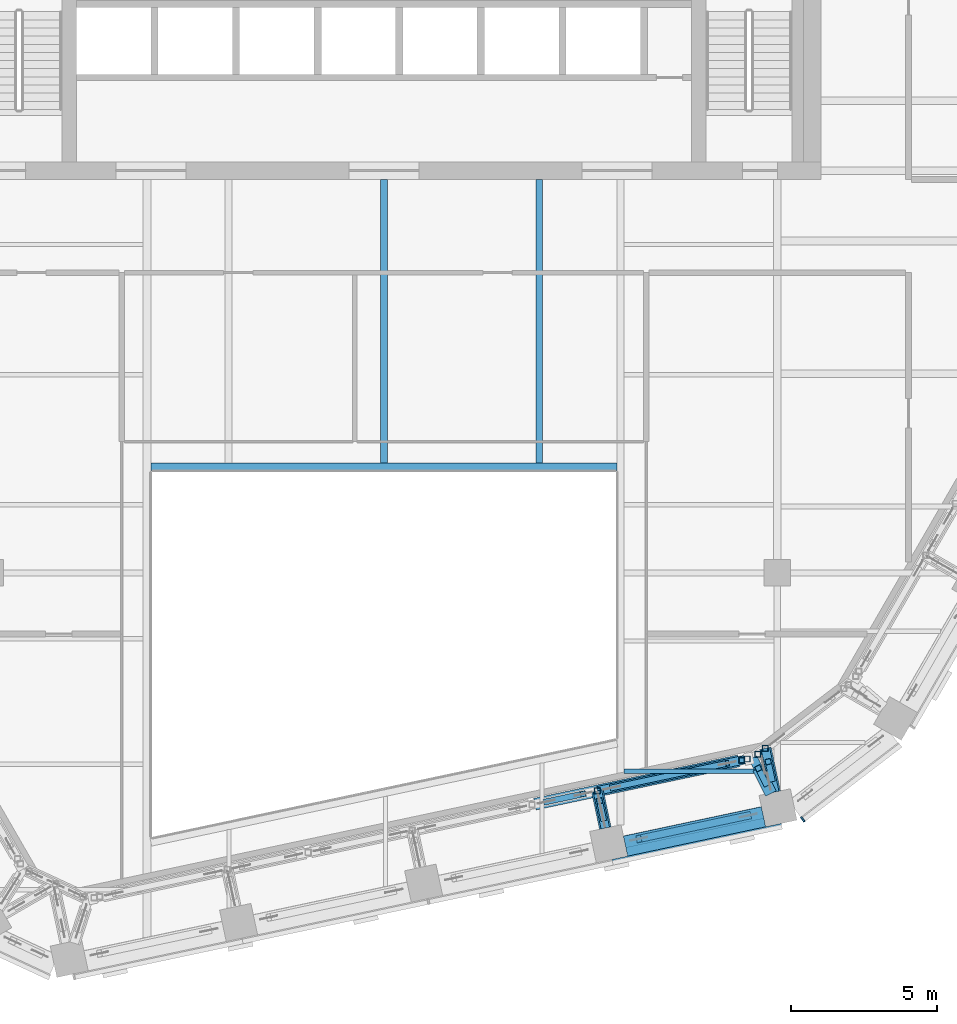
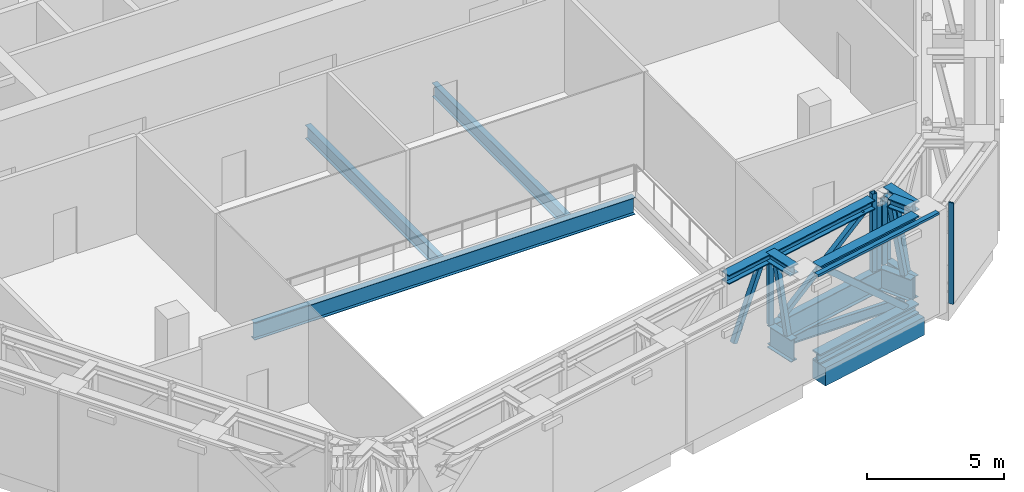
# One storey, part 7 of 25: 23 members, 5 beams, 2 elements without a shape of their own.
"""IFC4 building model written with IfcOpenShell, lengths in metres."""

from ifc_helpers import new_model, si_unit, direction, frame, origin, origin_2d, place, context, subcontext, project, spatial, rectangle, hollow_rectangle, i_section, extrude, material, layer, layer_set, material_profile, profile_set, type_object, element, aggregate, save


model = new_model("IFC4")

# Units and contexts
model_context = context("Model", 3, precision=1e-05, world=origin(), true_north=direction((0.0, 1.0)))
body_context = subcontext(model_context, "Body", "Model", "MODEL_VIEW")
ifc_project = project(units=[si_unit("LENGTHUNIT", "METRE"), si_unit("AREAUNIT", "SQUARE_METRE"), si_unit("VOLUMEUNIT", "CUBIC_METRE"), si_unit("PLANEANGLEUNIT", "RADIAN"), si_unit("MASSUNIT", "GRAM", prefix="KILO")], contexts=[model_context])

# Site, building, storey
site_placement = place(None, origin())
site = spatial("IfcSite", under=ifc_project, at=site_placement, CompositionType="ELEMENT")
building_placement = place(site_placement, origin())
building = spatial("IfcBuilding", under=site, at=building_placement, Name="Isthmus Gate Tower", CompositionType="ELEMENT")
storey_placement = place(building_placement, frame((0.0, 0.0, 256.449951171875)))
storey = spatial("IfcBuildingStorey", under=building, at=storey_placement, Name="L65", CompositionType="ELEMENT", Elevation=256.449951171875)

# Members
ifc_material_1 = material(Name="Structural steel ASTM A913 Gr 65", Category="steel")
ifc_material_profile_1 = material_profile(ifc_material_1, i_section(OverallWidth=0.416015625, OverallDepth=0.444580078125, WebThickness=0.039794921875, FlangeThickness=0.0634765625, at=origin_2d()), Name="W14X342")
ifc_profile_set_1 = profile_set([ifc_material_profile_1], Name="Structural steel ASTM A913 Gr 65")
member_type_1 = type_object("IfcMemberType", Name="BELT TRUSS CHORD W14X342", PredefinedType="CHORD", material=ifc_profile_set_1)
for number, where, z_axis, x_axis, name in (
    (1, (12.994384765625, -21.726806640625, 0.222412109375), (-0.978151545833, -0.207893129722, 0.0), (0.207893129722, -0.978151545833, 0.0), "str-belt11-L65-01"),
    (2, (12.994384765625, -21.726806640625, 4.127685546875), (-0.978151545833, -0.207893129722, 0.0), (0.207893129722, -0.978151545833, 0.0), "str-belt11-L65-02"),
):
    element("IfcMember", number, at=place(storey_placement, frame(where, z_axis=z_axis, x_axis=x_axis)), inside=storey, type_object=member_type_1, Name=name, PredefinedType="CHORD", context=body_context, shape_type="SweptSolid", body=[
        extrude(i_section(OverallWidth=0.416015625, OverallDepth=0.444580078125, WebThickness=0.039794921875, FlangeThickness=0.0634765625, at=origin_2d()), origin(), (0.0, 0.0, 1.0), 4.841796875),
    ])

# Curtain wall, member
ifc_material_2 = material(Name="Aluminium, pale champagne anodised", Category="aluminium")
ifc_layer = layer(ifc_material_2, 0.199951171875)
ifc_layer_set = layer_set([ifc_layer], Name="CW-2 LOUVRE CURTAIN WALL 200 DEEP")
curtain_wall_type = type_object("IfcCurtainWallType", Name="CW-2 LOUVRE CURTAIN WALL 200 DEEP", PredefinedType="NOTDEFINED", material=ifc_layer_set)
curtain_wall_1_placement = place(storey_placement, origin())
curtain_wall_1 = element("IfcCurtainWall", 3, at=curtain_wall_1_placement, inside=storey, type_object=curtain_wall_type, Name="CW-2 S-SE L65", PredefinedType="NOTDEFINED")
ifc_material_3 = material(Name="Aluminium, pale champagne anodised", Category="aluminium")
ifc_material_profile_2 = material_profile(ifc_material_3, rectangle(XDim=0.06005859375, YDim=0.199951171875, at=origin_2d()), Name="60x200")
ifc_profile_set_2 = profile_set([ifc_material_profile_2], Name="Aluminium, pale champagne anodised")
member_type_2 = type_object("IfcMemberType", Name="CW-2 MULLION 60 X 200", PredefinedType="MULLION", material=ifc_profile_set_2)
member_1_placement = place(storey_placement, frame((14.3720703125, -21.961669921875, 0.0), z_axis=(0.0, 0.0, 1.0), x_axis=(0.794188594387, 0.607671355706, 0.0)))
member_1 = element("IfcMember", 4, at=member_1_placement, type_object=member_type_2, Name="CW-2 mullion", PredefinedType="MULLION", context=body_context, shape_type="SweptSolid", body=[
    extrude(rectangle(XDim=0.06005859375, YDim=0.199951171875, at=origin_2d()), origin(), (0.0, 0.0, 1.0), 4.5),
])
aggregate(curtain_wall_1, [member_1])

curtain_wall_2_placement = place(storey_placement, origin())
curtain_wall_2 = element("IfcCurtainWall", 5, at=curtain_wall_2_placement, inside=storey, type_object=curtain_wall_type, Name="CW-2 S L65", PredefinedType="NOTDEFINED")
ifc_material_4 = material(Name="Aluminium, pale champagne anodised", Category="aluminium")
ifc_material_profile_3 = material_profile(ifc_material_4, rectangle(XDim=0.199951171875, YDim=0.10009765625, at=origin_2d()), Name="200x100")
ifc_profile_set_3 = profile_set([ifc_material_profile_3], Name="Aluminium, pale champagne anodised")
member_type_3 = type_object("IfcMemberType", Name="CW-2 TRANSOM 200 X 100", PredefinedType="USERDEFINED", material=ifc_profile_set_3)
member_2_placement = place(storey_placement, frame((7.844970703125, -23.434814453125, 4.449951171875), z_axis=(0.978148616043, 0.207906914105, 0.0), x_axis=(-0.207906914105, 0.978148616043, 0.0)))
member_2 = element("IfcMember", 6, at=member_2_placement, type_object=member_type_3, Name="CW-2 transom", ObjectType="TRANSOM", PredefinedType="USERDEFINED", context=body_context, shape_type="SweptSolid", body=[
    extrude(rectangle(XDim=0.199951171875, YDim=0.10009765625, at=origin_2d()), origin(), (0.0, 0.0, 1.0), 5.94189453125),
])
aggregate(curtain_wall_2, [member_2])

# Beams
ifc_material_5 = material(Name="Concrete f'c 50 MPa", Category="concrete")
ifc_material_profile_4 = material_profile(ifc_material_5, rectangle(XDim=0.699951171875, YDim=0.800048828125, at=origin_2d()), Name="RC 700X800")
ifc_profile_set_4 = profile_set([ifc_material_profile_4], Name="Concrete f'c 50 MPa")
beam_type_1 = type_object("IfcBeamType", Name="RC SPANDREL 700 X 800", PredefinedType="SPANDREL", material=ifc_profile_set_4)
beam_1_placement = place(storey_placement, frame((13.025390625, -21.87353515625, -0.39990234375), z_axis=(-0.978151545833, -0.207893129722, 0.0), x_axis=(0.207893129722, -0.978151545833, 0.0)))
element("IfcBeam", 7, at=beam_1_placement, inside=storey, type_object=beam_type_1, Name="str-spandrel-L65-11", PredefinedType="SPANDREL", context=body_context, shape_type="SweptSolid", body=[
    extrude(rectangle(XDim=0.699951171875, YDim=0.800048828125, at=origin_2d()), origin(), (0.0, 0.0, 1.0), 4.841796875),
])
ifc_material_6 = material(Name="Structural steel ASTM A992 Gr 50", Category="steel")
ifc_material_profile_5 = material_profile(ifc_material_6, i_section(OverallWidth=0.15234375, OverallDepth=0.45068359375, WebThickness=0.0078125, FlangeThickness=0.010986328125, at=origin_2d()), Name="W18X35")
ifc_profile_set_5 = profile_set([ifc_material_profile_5], Name="Structural steel ASTM A992 Gr 50")
beam_type_2 = type_object("IfcBeamType", Name="STEEL FLOOR BEAM W18X35", PredefinedType="JOIST", material=ifc_profile_set_5)
beam_2_placement = place(storey_placement, frame((8.228515625, -20.3046875, -0.525390625), z_axis=(1.0, 0.0, 0.0), x_axis=(0.0, 1.0, 0.0)))
element("IfcBeam", 8, at=beam_2_placement, inside=storey, type_object=beam_type_2, Name="str-beam-L65-09-00", PredefinedType="JOIST", context=body_context, shape_type="SweptSolid", body=[
    extrude(i_section(OverallWidth=0.15234375, OverallDepth=0.45068359375, WebThickness=0.0078125, FlangeThickness=0.010986328125, at=origin_2d()), origin(), (0.0, 0.0, 1.0), 5.1572265625),
])
ifc_material_7 = material(Name="Structural steel ASTM A992 Gr 50", Category="steel")
ifc_material_profile_6 = material_profile(ifc_material_7, i_section(OverallWidth=0.228515625, OverallDepth=0.603271484375, WebThickness=0.010986328125, FlangeThickness=0.014404296875, at=origin_2d()), Name="W24X68")
ifc_profile_set_6 = profile_set([ifc_material_profile_6], Name="Structural steel ASTM A992 Gr 50")
beam_type_3 = type_object("IfcBeamType", Name="STEEL FLOOR BEAM W24X68", PredefinedType="JOIST", material=ifc_profile_set_6)
for number, where, z_axis, x_axis, name in (
    (9, (0.0, -9.7333984375, -0.6015625), (0.0, 1.0, 0.0), (-1.0, 0.0, 0.0), "str-beam-L65-07-01"),
    (10, (5.333251953125, -9.7333984375, -0.6015625), (0.0, 1.0, 0.0), (-1.0, 0.0, 0.0), "str-beam-L65-07-02"),
):
    element("IfcBeam", number, at=place(storey_placement, frame(where, z_axis=z_axis, x_axis=x_axis)), inside=storey, type_object=beam_type_3, Name=name, PredefinedType="JOIST", context=body_context, shape_type="SweptSolid", body=[
        extrude(i_section(OverallWidth=0.228515625, OverallDepth=0.603271484375, WebThickness=0.010986328125, FlangeThickness=0.014404296875, at=origin_2d()), origin(), (0.0, 0.0, 1.0), 9.7333984375),
    ])
ifc_material_8 = material(Name="Structural steel ASTM A992 Gr 50", Category="steel")
ifc_material_profile_7 = material_profile(ifc_material_8, i_section(OverallWidth=0.2666015625, OverallDepth=0.7587890625, WebThickness=0.014404296875, FlangeThickness=0.01904296875, at=origin_2d()), Name="W30X108")
ifc_profile_set_7 = profile_set([ifc_material_profile_7], Name="Structural steel ASTM A992 Gr 50")
beam_type_4 = type_object("IfcBeamType", Name="STEEL TRIMMER W30X108", PredefinedType="BEAM", material=ifc_profile_set_7)
beam_3_placement = place(storey_placement, frame((8.0, -9.86669921875, -0.679443359375), z_axis=(-1.0, 0.0, 0.0), x_axis=(0.0, -1.0, 0.0)))
element("IfcBeam", 11, at=beam_3_placement, inside=storey, type_object=beam_type_4, Name="str-trimmer-L65-04", PredefinedType="BEAM", context=body_context, shape_type="SweptSolid", body=[
    extrude(i_section(OverallWidth=0.2666015625, OverallDepth=0.7587890625, WebThickness=0.014404296875, FlangeThickness=0.01904296875, at=origin_2d()), origin(), (0.0, 0.0, 1.0), 16.0),
])

# Members
ifc_material_9 = material(Name="Structural steel ASTM A913 Gr 65", Category="steel")
ifc_material_profile_8 = material_profile(ifc_material_9, i_section(OverallWidth=0.4033203125, OverallDepth=0.406494140625, WebThickness=0.027099609375, FlangeThickness=0.04443359375, at=origin_2d()), Name="W14X233")
ifc_profile_set_8 = profile_set([ifc_material_profile_8], Name="Structural steel ASTM A913 Gr 65")
member_type_4 = type_object("IfcMemberType", Name="TRANSFER TRUSS CHORD W14X233", PredefinedType="CHORD", material=ifc_profile_set_8)
member_3_placement = place(storey_placement, frame((12.174560546875, -19.9521484375, 4.046875), z_axis=(-0.978144794012, -0.207924894965, 0.0), x_axis=(0.207924894965, -0.978144794012, 0.0)))
element("IfcMember", 12, at=member_3_placement, inside=storey, type_object=member_type_4, Name="str-ring05-L65-15", PredefinedType="CHORD", context=body_context, shape_type="SweptSolid", body=[
    extrude(i_section(OverallWidth=0.4033203125, OverallDepth=0.406494140625, WebThickness=0.027099609375, FlangeThickness=0.04443359375, at=origin_2d()), origin(), (0.0, 0.0, 1.0), 7.15185546875),
])
member_4_placement = place(storey_placement, frame((7.595458984375, -22.260986328125, 4.046875), z_axis=(-0.207818522798, 0.97816739957, 0.0), x_axis=(-0.97816739957, -0.207818522798, 0.0)))
element("IfcMember", 13, at=member_4_placement, inside=storey, type_object=member_type_4, Name="str-link18-L65-02", PredefinedType="CHORD", context=body_context, shape_type="SweptSolid", body=[
    extrude(i_section(OverallWidth=0.4033203125, OverallDepth=0.406494140625, WebThickness=0.027099609375, FlangeThickness=0.04443359375, at=origin_2d()), origin(), (0.0, 0.0, 1.0), 1.306396484375),
])
member_5_placement = place(storey_placement, frame((13.407470703125, -21.025634765625, 4.046875), z_axis=(-0.207877778004, 0.97815480851, 0.0), x_axis=(-0.97815480851, -0.207877778004, 0.0)))
element("IfcMember", 14, at=member_5_placement, inside=storey, type_object=member_type_4, Name="str-link19-L65-02", PredefinedType="CHORD", context=body_context, shape_type="SweptSolid", body=[
    extrude(i_section(OverallWidth=0.4033203125, OverallDepth=0.406494140625, WebThickness=0.027099609375, FlangeThickness=0.04443359375, at=origin_2d()), origin(), (0.0, 0.0, 1.0), 1.534912109375),
])
member_6_placement = place(storey_placement, frame((13.276123046875, -21.071533203125, 4.046875), z_axis=(-0.446808051593, 0.894629848056, 0.0), x_axis=(-0.894629848056, -0.446808051593, 0.0)))
element("IfcMember", 15, at=member_6_placement, inside=storey, type_object=member_type_4, Name="str-link35-L65-02", PredefinedType="CHORD", context=body_context, shape_type="SweptSolid", body=[
    extrude(i_section(OverallWidth=0.4033203125, OverallDepth=0.406494140625, WebThickness=0.027099609375, FlangeThickness=0.04443359375, at=origin_2d()), origin(), (0.0, 0.0, 1.0), 0.96337890625),
])
ifc_material_10 = material(Name="Structural steel ASTM A913 Gr 65", Category="steel")
ifc_material_profile_9 = material_profile(ifc_material_10, i_section(OverallWidth=0.29833984375, OverallDepth=0.981201171875, WebThickness=0.015869140625, FlangeThickness=0.025390625, at=origin_2d()), Name="W40X167")
ifc_profile_set_9 = profile_set([ifc_material_profile_9], Name="Structural steel ASTM A913 Gr 65")
member_type_5 = type_object("IfcMemberType", Name="TRANSFER TRUSS CHORD W40X167", PredefinedType="CHORD", material=ifc_profile_set_9)
member_7_placement = place(storey_placement, frame((12.6650390625, -19.847900390625, 0.490478515625), z_axis=(-0.97814328195, -0.20793200806, 0.0), x_axis=(0.20793200806, -0.97814328195, 0.0)))
element("IfcMember", 16, at=member_7_placement, inside=storey, type_object=member_type_5, Name="str-ring05-L65-10", PredefinedType="CHORD", context=body_context, shape_type="SweptSolid", body=[
    extrude(i_section(OverallWidth=0.29833984375, OverallDepth=0.981201171875, WebThickness=0.015869140625, FlangeThickness=0.025390625, at=origin_2d()), origin(), (0.0, 0.0, 1.0), 5.4609375),
])
member_8_placement = place(storey_placement, frame((7.595458984375, -22.260986328125, 0.490478515625), z_axis=(-0.207818522798, 0.97816739957, 0.0), x_axis=(-0.97816739957, -0.207818522798, 0.0)))
element("IfcMember", 17, at=member_8_placement, inside=storey, type_object=member_type_5, Name="str-link18-L65-01", PredefinedType="CHORD", context=body_context, shape_type="SweptSolid", body=[
    extrude(i_section(OverallWidth=0.29833984375, OverallDepth=0.981201171875, WebThickness=0.015869140625, FlangeThickness=0.025390625, at=origin_2d()), origin(), (0.0, 0.0, 1.0), 1.306396484375),
])
member_9_placement = place(storey_placement, frame((13.407470703125, -21.025634765625, 0.490478515625), z_axis=(-0.207877778004, 0.97815480851, 0.0), x_axis=(-0.97815480851, -0.207877778004, 0.0)))
element("IfcMember", 18, at=member_9_placement, inside=storey, type_object=member_type_5, Name="str-link19-L65-01", PredefinedType="CHORD", context=body_context, shape_type="SweptSolid", body=[
    extrude(i_section(OverallWidth=0.29833984375, OverallDepth=0.981201171875, WebThickness=0.015869140625, FlangeThickness=0.025390625, at=origin_2d()), origin(), (0.0, 0.0, 1.0), 1.534912109375),
])
member_10_placement = place(storey_placement, frame((13.276123046875, -21.071533203125, 0.490478515625), z_axis=(-0.446785144544, 0.894641288235, 0.0), x_axis=(-0.894641288235, -0.446785144544, 0.0)))
element("IfcMember", 19, at=member_10_placement, inside=storey, type_object=member_type_5, Name="str-link35-L65-01", PredefinedType="CHORD", context=body_context, shape_type="SweptSolid", body=[
    extrude(i_section(OverallWidth=0.29833984375, OverallDepth=0.981201171875, WebThickness=0.015869140625, FlangeThickness=0.025390625, at=origin_2d()), origin(), (0.0, 0.0, 1.0), 1.36767578125),
])
ifc_material_11 = material(Name="Structural steel ASTM A500 Gr C", Category="steel")
ifc_material_profile_10 = material_profile(ifc_material_11, hollow_rectangle(XDim=0.203125, YDim=0.203125, WallThickness=0.01171875, at=origin_2d()), Name="HSS8X8X1/2")
ifc_profile_set_10 = profile_set([ifc_material_profile_10], Name="Structural steel ASTM A500 Gr C")
member_type_6 = type_object("IfcMemberType", Name="TRANSFER TRUSS DIAGONAL HSS8X8X1/2", PredefinedType="BRACE", material=ifc_profile_set_10)
member_11_placement = place(storey_placement, frame((7.8125, -20.87939453125, 0.981201171875), z_axis=(0.799496690186, 0.169962451684, 0.57612308355), x_axis=(-0.207939999742, 0.978141583058, 0.0)))
element("IfcMember", 20, at=member_11_placement, inside=storey, type_object=member_type_6, Name="str-ring05-L65-19", PredefinedType="BRACE", context=body_context, shape_type="SweptSolid", body=[
    extrude(hollow_rectangle(XDim=0.203125, YDim=0.203125, WallThickness=0.01171875, at=origin_2d()), origin(), (0.0, 0.0, 1.0), 4.96875),
])
member_12_placement = place(storey_placement, frame((5.568603515625, -21.356201171875, 0.981201171875), z_axis=(0.40295111072, 0.085641682548, 0.911205742179), x_axis=(-0.207892599368, 0.978151658552, 0.0)))
element("IfcMember", 21, at=member_12_placement, inside=storey, type_object=member_type_6, Name="str-ring05-L65-20", PredefinedType="BRACE", context=body_context, shape_type="SweptSolid", body=[
    extrude(hollow_rectangle(XDim=0.203125, YDim=0.203125, WallThickness=0.01171875, at=origin_2d()), origin(), (0.0, 0.0, 1.0), 3.1416015625),
])
for number, where, z_axis, x_axis, name in (
    (22, (7.52197265625, -21.91552734375, 0.981201171875), (-0.042655083545, 0.200670882273, 0.978729656675), (-0.978146440129, -0.207917150959, 0.0), "str-link18-L65-03"),
    (23, (13.310302734375, -20.568359375, 0.981201171875), (-0.042655083545, 0.200670882273, 0.978729656675), (-0.978146440129, -0.207917150959, 0.0), "str-link19-L65-03"),
):
    element("IfcMember", number, at=place(storey_placement, frame(where, z_axis=z_axis, x_axis=x_axis)), inside=storey, type_object=member_type_6, Name=name, PredefinedType="BRACE", context=body_context, shape_type="SweptSolid", body=[
        extrude(hollow_rectangle(XDim=0.203125, YDim=0.203125, WallThickness=0.01171875, at=origin_2d()), origin(), (0.0, 0.0, 1.0), 2.9248046875),
    ])
member_13_placement = place(storey_placement, frame((13.104736328125, -20.72802734375, 0.981201171875), z_axis=(-0.088691644387, 0.177466881275, 0.980122083348), x_axis=(-0.894511443745, -0.447045050313, 0.0)))
element("IfcMember", 24, at=member_13_placement, inside=storey, type_object=member_type_6, Name="str-link35-L65-03", PredefinedType="BRACE", context=body_context, shape_type="SweptSolid", body=[
    extrude(hollow_rectangle(XDim=0.203125, YDim=0.203125, WallThickness=0.01171875, at=origin_2d()), origin(), (0.0, 0.0, 1.0), 2.920654296875),
])
ifc_material_12 = material(Name="Structural steel ASTM A500 Gr C", Category="steel")
ifc_material_profile_11 = material_profile(ifc_material_12, hollow_rectangle(XDim=0.203125, YDim=0.203125, WallThickness=0.01171875, at=origin_2d()), Name="HSS8X8X1/2")
ifc_profile_set_11 = profile_set([ifc_material_profile_11], Name="Structural steel ASTM A500 Gr C")
member_type_7 = type_object("IfcMemberType", Name="TRANSFER TRUSS POST HSS8X8X1/2", PredefinedType="POST", material=ifc_profile_set_11)
for number, where, z_axis, x_axis, name in (
    (25, (13.088134765625, -19.5244140625, 0.981201171875), (0.0, 0.0, 1.0), (1.0, 0.0, 0.0), "str-ring04-L65-03"),
    (26, (12.823486328125, -19.7265625, 0.981201171875), (0.0, 0.0, 1.0), (1.0, 0.0, 0.0), "str-ring04-L65-04"),
    (27, (12.469482421875, -19.889404296875, 0.981201171875), (0.0, 0.0, 1.0), (1.0, 0.0, 0.0), "str-ring05-L65-01"),
):
    element("IfcMember", number, at=place(storey_placement, frame(where, z_axis=z_axis, x_axis=x_axis)), inside=storey, type_object=member_type_7, Name=name, PredefinedType="POST", context=body_context, shape_type="SweptSolid", body=[
        extrude(hollow_rectangle(XDim=0.203125, YDim=0.203125, WallThickness=0.01171875, at=origin_2d()), origin(), (0.0, 0.0, 1.0), 2.862548828125),
    ])
member_14_placement = place(storey_placement, frame((12.27392578125, -19.93115234375, 0.981201171875), z_axis=(0.0, 0.0, 1.0), x_axis=(1.0, 0.0, 0.0)))
element("IfcMember", 28, at=member_14_placement, inside=storey, type_object=member_type_7, Name="str-ring05-L65-02", PredefinedType="POST", context=body_context, shape_type="SweptSolid", body=[
    extrude(hollow_rectangle(XDim=0.203125, YDim=0.203125, WallThickness=0.01171875, at=origin_2d()), origin(), (0.0, 0.0, 1.0), 3.46875),
])
member_15_placement = place(storey_placement, frame((7.323486328125, -20.9833984375, 0.981201171875), z_axis=(0.0, 0.0, 1.0), x_axis=(1.0, 0.0, 0.0)))
element("IfcMember", 29, at=member_15_placement, inside=storey, type_object=member_type_7, Name="str-ring05-L65-03", PredefinedType="POST", context=body_context, shape_type="SweptSolid", body=[
    extrude(hollow_rectangle(XDim=0.203125, YDim=0.203125, WallThickness=0.01171875, at=origin_2d()), origin(), (0.0, 0.0, 1.0), 2.862548828125),
])
ifc_material_13 = material(Name="Structural steel ASTM A500 Gr C", Category="steel")
ifc_material_profile_12 = material_profile(ifc_material_13, hollow_rectangle(XDim=0.25390625, YDim=0.25390625, WallThickness=0.01171875, at=origin_2d()), Name="HSS10X10X1/2")
ifc_profile_set_12 = profile_set([ifc_material_profile_12], Name="Structural steel ASTM A500 Gr C")
member_type_8 = type_object("IfcMemberType", Name="TRUSS DIAGONAL HSS10X10X1/2", PredefinedType="BRACE", material=ifc_profile_set_12)
member_16_placement = place(storey_placement, frame((12.505126953125, -21.830810546875, 0.444580078125), z_axis=(-0.726734482763, -0.154487735681, 0.669320947743), x_axis=(0.207931719047, -0.978143343388, 0.0)))
element("IfcMember", 30, at=member_16_placement, inside=storey, type_object=member_type_8, Name="str-belt11-L65-03", PredefinedType="BRACE", context=body_context, shape_type="SweptSolid", body=[
    extrude(hollow_rectangle(XDim=0.25390625, YDim=0.25390625, WallThickness=0.01171875, at=origin_2d()), origin(), (0.0, 0.0, 1.0), 5.1708984375),
])

save(model, "model.ifc")
